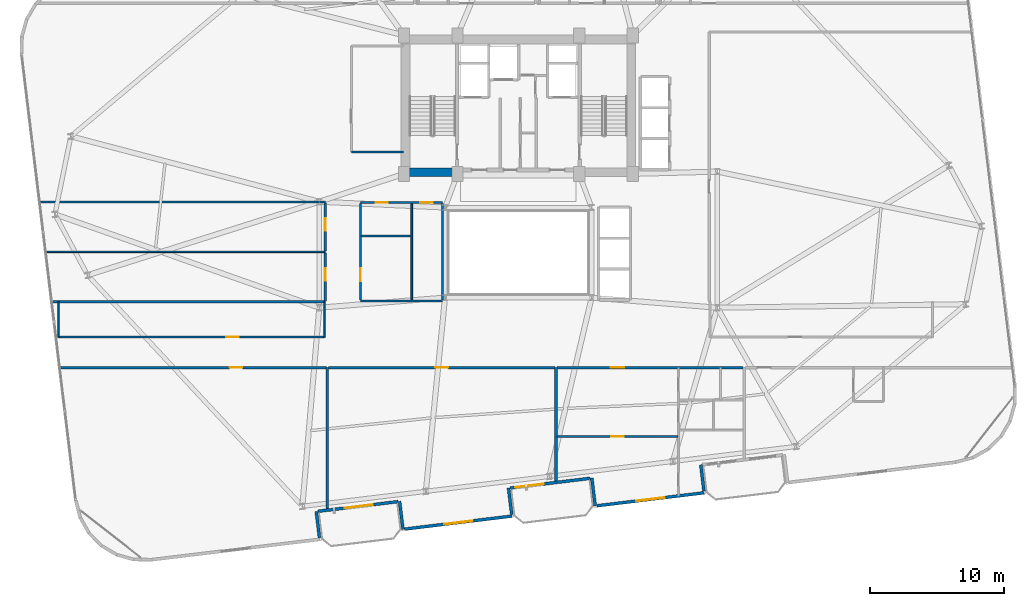
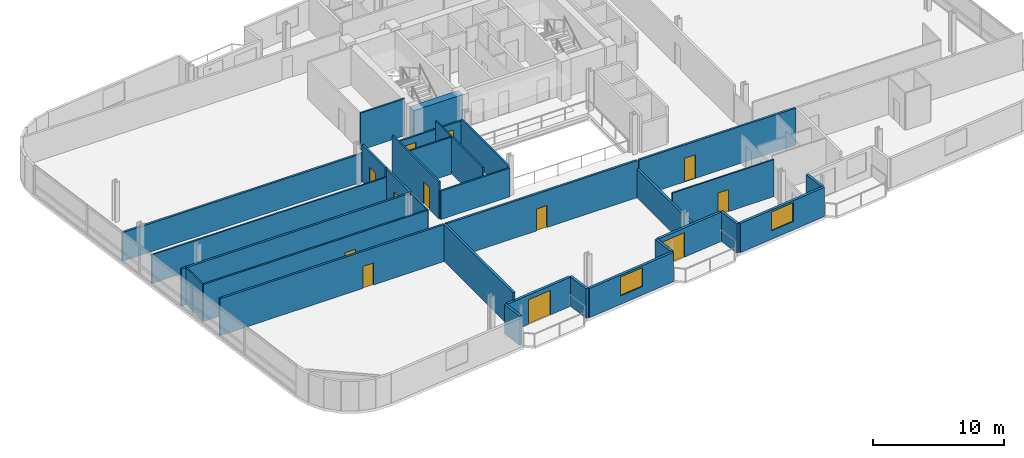
# One storey, part 15 of 23: 31 walls, 12 doors, 2 windows, 14 openings.
"""IFC4 building model written with IfcOpenShell, lengths in metres."""

from ifc_helpers import new_model, si_unit, direction, frame, frame_2d, origin, place, context, subcontext, project, spatial, rectangle, extrude, material, layer, layer_set, type_object, element, fill, save


model = new_model("IFC4")

# Units and contexts
model_context = context("Model", 3, precision=1e-05, world=origin(), true_north=direction((0.0, 1.0)))
body_context = subcontext(model_context, "Body", "Model", "MODEL_VIEW")
ifc_project = project(units=[si_unit("LENGTHUNIT", "METRE"), si_unit("AREAUNIT", "SQUARE_METRE"), si_unit("VOLUMEUNIT", "CUBIC_METRE"), si_unit("PLANEANGLEUNIT", "RADIAN"), si_unit("MASSUNIT", "GRAM", prefix="KILO")], contexts=[model_context])

# Site, building, storey
site_placement = place(None, origin())
site = spatial("IfcSite", under=ifc_project, at=site_placement, CompositionType="ELEMENT")
building_placement = place(site_placement, origin())
building = spatial("IfcBuilding", under=site, at=building_placement, Name="Varnelok Gate Tower", CompositionType="ELEMENT")
storey_placement = place(building_placement, frame((0.0, 0.0, 182.0)))
storey = spatial("IfcBuildingStorey", under=building, at=storey_placement, Name="L46", CompositionType="ELEMENT", Elevation=182.0)

# Wall, opening, door
ifc_material_1 = material(Name="Concrete C45/55", Category="concrete")
ifc_layer_1 = layer(ifc_material_1, 0.219970703125)
ifc_layer_set_1 = layer_set([ifc_layer_1], Name="Concrete C45/55")
wall_type_1 = type_object("IfcWallType", Name="EW-BALC-220", PredefinedType="SOLIDWALL", material=ifc_layer_set_1)
wall_1_placement = place(storey_placement, frame((30.25244140625, 4.381103515625, 0.0), z_axis=(0.0, 0.0, 1.0), x_axis=(-0.992735402148, -0.120318000826, 0.0)))
wall_1 = element("IfcWall", 1, at=wall_1_placement, inside=storey, type_object=wall_type_1, Name="L46 South Terrace Envelope Wall 1", PredefinedType="SOLIDWALL", context=body_context, shape_type="SweptSolid", body=[
    extrude(rectangle(XDim=6.000244140625, YDim=0.219970703125, at=frame_2d((3.0, 0.0))), origin(), (0.0, 0.0, 1.0), 2.72998046875),
])
opening_1_placement = place(wall_1_placement, frame((1.887939453125, 0.0, 0.0)))
opening_1 = element("IfcOpeningElement", 2, at=opening_1_placement, cuts=wall_1, Name="Opening BD-2", PredefinedType="OPENING", context=body_context, shape_type="SweptSolid", body=[
    extrude(rectangle(XDim=2.10009765625, YDim=2.300048828125, at=frame_2d((1.050048828125, 1.14990234375))), frame((0.0, 0.119873046875, 0.0), z_axis=(0.0, -1.0, 0.0), x_axis=(1.0, 0.0, 0.0)), (0.0, 0.0, 1.0), 0.239990234375),
])
ifc_material_2 = material(Name="Anodized Aluminum Alloy 6063-T6", Category="aluminium")
door_type_1 = type_object("IfcDoorType", Name="DR-EXT-SLID2100", OperationType="SLIDING_TO_LEFT", PredefinedType="DOOR", material=ifc_material_2)
door_1_placement = place(opening_1_placement, origin())
door_1 = element("IfcDoor", 3, at=door_1_placement, inside=storey, type_object=door_type_1, Name="L46 South Balcony Glazed Door 1", OperationType="SLIDING_TO_LEFT", OverallHeight=2.300048828125, OverallWidth=2.10009765625, PredefinedType="DOOR", context=body_context, shape_type="SweptSolid", body=[
    extrude(rectangle(XDim=2.10009765625, YDim=2.300048828125, at=frame_2d((1.050048828125, 1.14990234375))), frame((0.0, 0.02490234375, 0.0), z_axis=(0.0, -1.0, 0.0), x_axis=(1.0, 0.0, 0.0)), (0.0, 0.0, 1.0), 0.050048828125),
])
fill(opening_1, door_1)

wall_2_placement = place(storey_placement, frame((44.5478515625, 6.114013671875, 0.0), z_axis=(0.0, 0.0, 1.0), x_axis=(-0.992735402148, -0.120318000826, 0.0)))
wall_2 = element("IfcWall", 4, at=wall_2_placement, inside=storey, type_object=wall_type_1, Name="L46 South Terrace Envelope Wall 2", PredefinedType="SOLIDWALL", context=body_context, shape_type="SweptSolid", body=[
    extrude(rectangle(XDim=6.000244140625, YDim=0.219970703125, at=frame_2d((3.0, 0.0))), origin(), (0.0, 0.0, 1.0), 2.72998046875),
])
opening_2_placement = place(wall_2_placement, frame((3.5, 0.0, 0.0)))
opening_2 = element("IfcOpeningElement", 5, at=opening_2_placement, cuts=wall_2, Name="Opening BD-2", PredefinedType="OPENING", context=body_context, shape_type="SweptSolid", body=[
    extrude(rectangle(XDim=2.10009765625, YDim=2.300048828125, at=frame_2d((1.050048828125, 1.14990234375))), frame((0.0, 0.119873046875, 0.0), z_axis=(0.0, -1.0, 0.0), x_axis=(1.0, 0.0, 0.0)), (0.0, 0.0, 1.0), 0.239990234375),
])
door_2_placement = place(opening_2_placement, origin())
door_2 = element("IfcDoor", 6, at=door_2_placement, inside=storey, type_object=door_type_1, Name="L46 South Balcony Glazed Door 2", OperationType="SLIDING_TO_LEFT", OverallHeight=2.300048828125, OverallWidth=2.10009765625, PredefinedType="DOOR", context=body_context, shape_type="SweptSolid", body=[
    extrude(rectangle(XDim=2.10009765625, YDim=2.300048828125, at=frame_2d((1.050048828125, 1.14990234375))), frame((0.0, 0.02490234375, 0.0), z_axis=(0.0, -1.0, 0.0), x_axis=(1.0, 0.0, 0.0)), (0.0, 0.0, 1.0), 0.050048828125),
])
fill(opening_2, door_2)

# Walls
wall_3_placement = place(storey_placement, frame((24.413330078125, 1.694091796875, 0.0), z_axis=(0.0, 0.0, 1.0), x_axis=(-0.120290754542, 0.992738703976, 0.0)))
element("IfcWall", 7, at=wall_3_placement, inside=storey, type_object=wall_type_1, Name="L46 Perimeter Facade Closure Wall 8", PredefinedType="SOLIDWALL", context=body_context, shape_type="SweptSolid", body=[
    extrude(rectangle(XDim=1.974853515625, YDim=0.219970703125, at=frame_2d((0.9873046875, 0.0))), origin(), (0.0, 0.0, 1.0), 2.72998046875),
])
wall_4_placement = place(storey_placement, frame((30.370361328125, 4.405517578125, 0.0), z_axis=(0.0, 0.0, 1.0), x_axis=(0.120327895535, -0.992734202874, 0.0)))
element("IfcWall", 8, at=wall_4_placement, inside=storey, type_object=wall_type_1, Name="L46 Perimeter Facade Closure Wall 9", PredefinedType="SOLIDWALL", context=body_context, shape_type="SweptSolid", body=[
    extrude(rectangle(XDim=2.099853515625, YDim=0.219970703125, at=frame_2d((1.0498046875, 0.0))), origin(), (0.0, 0.0, 1.0), 2.72998046875),
])

# Wall, opening, window
wall_5_placement = place(storey_placement, frame((30.747314453125, 2.335693359375, 0.0), z_axis=(0.0, 0.0, 1.0), x_axis=(0.992731032022, 0.120354052946, 0.0)))
wall_5 = element("IfcWall", 9, at=wall_5_placement, inside=storey, type_object=wall_type_1, Name="L46 Perimeter Facade Closure Wall 10", PredefinedType="SOLIDWALL", context=body_context, shape_type="SweptSolid", body=[
    extrude(rectangle(XDim=8.034912109375, YDim=0.219970703125, at=frame_2d((4.017578125, 0.0))), origin(), (0.0, 0.0, 1.0), 2.72998046875),
])
opening_3_placement = place(wall_5_placement, frame((2.967529296875, 0.0, 0.800048828125)))
opening_3 = element("IfcOpeningElement", 10, at=opening_3_placement, cuts=wall_5, Name="Opening WN4", PredefinedType="OPENING", context=body_context, shape_type="SweptSolid", body=[
    extrude(rectangle(XDim=2.10009765625, YDim=1.75, at=frame_2d((1.050048828125, 0.875))), frame((0.0, 0.119873046875, 0.0), z_axis=(0.0, -1.0, 0.0), x_axis=(1.0, 0.0, 0.0)), (0.0, 0.0, 1.0), 0.239990234375),
])
ifc_material_3 = material(Name="Low-E Laminated Double Glazing IGU", Category="glass")
window_type = type_object("IfcWindowType", Name="WN-SUI-2100", PartitioningType="SINGLE_PANEL", PredefinedType="WINDOW", material=ifc_material_3)
window_1_placement = place(opening_3_placement, origin())
window_1 = element("IfcWindow", 11, at=window_1_placement, inside=storey, type_object=window_type, Name="L46 Perimeter Vision Window 10", OverallHeight=1.75, OverallWidth=2.10009765625, PartitioningType="SINGLE_PANEL", PredefinedType="WINDOW", context=body_context, shape_type="SweptSolid", body=[
    extrude(rectangle(XDim=2.10009765625, YDim=1.75, at=frame_2d((1.050048828125, 0.875))), frame((0.0, 0.030029296875, 0.0), z_axis=(0.0, -1.0, 0.0), x_axis=(1.0, 0.0, 0.0)), (0.0, 0.0, 1.0), 0.06005859375),
])
fill(opening_3, window_1)

# Walls
wall_6_placement = place(storey_placement, frame((38.708740234375, 3.427001953125, 0.0), z_axis=(0.0, 0.0, 1.0), x_axis=(-0.120397815541, 0.992725725472, 0.0)))
element("IfcWall", 12, at=wall_6_placement, inside=storey, type_object=wall_type_1, Name="L46 Perimeter Facade Closure Wall 11", PredefinedType="SOLIDWALL", context=body_context, shape_type="SweptSolid", body=[
    extrude(rectangle(XDim=1.97509765625, YDim=0.219970703125, at=frame_2d((0.987548828125, 0.0))), origin(), (0.0, 0.0, 1.0), 2.72998046875),
])
wall_7_placement = place(storey_placement, frame((44.665771484375, 6.138427734375, 0.0), z_axis=(0.0, 0.0, 1.0), x_axis=(0.120327895535, -0.992734202874, 0.0)))
element("IfcWall", 13, at=wall_7_placement, inside=storey, type_object=wall_type_1, Name="L46 Perimeter Facade Closure Wall 12", PredefinedType="SOLIDWALL", context=body_context, shape_type="SweptSolid", body=[
    extrude(rectangle(XDim=2.099853515625, YDim=0.219970703125, at=frame_2d((1.0498046875, 0.0))), origin(), (0.0, 0.0, 1.0), 2.72998046875),
])

# Wall, opening, window
wall_8_placement = place(storey_placement, frame((45.04248046875, 4.06884765625, 0.0), z_axis=(0.0, 0.0, 1.0), x_axis=(0.992731032022, 0.120354052946, 0.0)))
wall_8 = element("IfcWall", 14, at=wall_8_placement, inside=storey, type_object=wall_type_1, Name="L46 Perimeter Facade Closure Wall 13", PredefinedType="SOLIDWALL", context=body_context, shape_type="SweptSolid", body=[
    extrude(rectangle(XDim=8.034912109375, YDim=0.219970703125, at=frame_2d((4.017578125, 0.0))), origin(), (0.0, 0.0, 1.0), 2.72998046875),
])
opening_4_placement = place(wall_8_placement, frame((2.967529296875, 0.0, 0.800048828125)))
opening_4 = element("IfcOpeningElement", 15, at=opening_4_placement, cuts=wall_8, Name="Opening WN4", PredefinedType="OPENING", context=body_context, shape_type="SweptSolid", body=[
    extrude(rectangle(XDim=2.10009765625, YDim=1.75, at=frame_2d((1.050048828125, 0.875))), frame((0.0, 0.119873046875, 0.0), z_axis=(0.0, -1.0, 0.0), x_axis=(1.0, 0.0, 0.0)), (0.0, 0.0, 1.0), 0.239990234375),
])
window_2_placement = place(opening_4_placement, origin())
window_2 = element("IfcWindow", 16, at=window_2_placement, inside=storey, type_object=window_type, Name="L46 Perimeter Vision Window 13", OverallHeight=1.75, OverallWidth=2.10009765625, PartitioningType="SINGLE_PANEL", PredefinedType="WINDOW", context=body_context, shape_type="SweptSolid", body=[
    extrude(rectangle(XDim=2.10009765625, YDim=1.75, at=frame_2d((1.050048828125, 0.875))), frame((0.0, 0.030029296875, 0.0), z_axis=(0.0, -1.0, 0.0), x_axis=(1.0, 0.0, 0.0)), (0.0, 0.0, 1.0), 0.06005859375),
])
fill(opening_4, window_2)

# Wall
wall_9_placement = place(storey_placement, frame((53.004150390625, 5.159912109375, 0.0), z_axis=(0.0, 0.0, 1.0), x_axis=(-0.120397815541, 0.992725725472, 0.0)))
element("IfcWall", 17, at=wall_9_placement, inside=storey, type_object=wall_type_1, Name="L46 Perimeter Facade Closure Wall 14", PredefinedType="SOLIDWALL", context=body_context, shape_type="SweptSolid", body=[
    extrude(rectangle(XDim=1.97509765625, YDim=0.219970703125, at=frame_2d((0.987548828125, 0.0))), origin(), (0.0, 0.0, 1.0), 2.72998046875),
])

# Wall, opening, door
ifc_material_4 = material(Name="Gypsum Plasterboard Acoustic Partition", Category="gypsum")
ifc_layer_2 = layer(ifc_material_4, 0.179931640625)
ifc_layer_set_2 = layer_set([ifc_layer_2], Name="Gypsum Plasterboard Acoustic Partition")
wall_type_2 = type_object("IfcWallType", Name="PW-CORR-180", PredefinedType="PARTITIONING", material=ifc_layer_set_2)
wall_10_placement = place(storey_placement, frame((5.14990234375, 14.35009765625, 0.0), z_axis=(0.0, 0.0, 1.0), x_axis=(1.0, 0.0, 0.0)))
wall_10 = element("IfcWall", 18, at=wall_10_placement, inside=storey, type_object=wall_type_2, Name="Interior Partition", PredefinedType="PARTITIONING", context=body_context, shape_type="SweptSolid", body=[
    extrude(rectangle(XDim=19.77001953125, YDim=0.179931640625, at=frame_2d((9.885009765625, 0.0))), origin(), (0.0, 0.0, 1.0), 3.449951171875),
])
opening_5_placement = place(wall_10_placement, frame((12.574951171875, 0.0, 0.0)))
opening_5 = element("IfcOpeningElement", 19, at=opening_5_placement, cuts=wall_10, Name="Opening D-I2", PredefinedType="OPENING", context=body_context, shape_type="SweptSolid", body=[
    extrude(rectangle(XDim=0.949951171875, YDim=2.050048828125, at=frame_2d((0.47509765625, 1.02490234375))), frame((0.0, 0.099853515625, 0.0), z_axis=(0.0, -1.0, 0.0), x_axis=(1.0, 0.0, 0.0)), (0.0, 0.0, 1.0), 0.199951171875),
])
ifc_material_5 = material(Name="Engineered Hardwood Timber", Category="wood")
door_type_2 = type_object("IfcDoorType", Name="DR-INT-950", OperationType="NOTDEFINED", PredefinedType="DOOR", material=ifc_material_5)
door_3_placement = place(opening_5_placement, origin())
door_3 = element("IfcDoor", 20, at=door_3_placement, inside=storey, type_object=door_type_2, Name="L46 Private Owners Horizon Club Door", OperationType="SINGLE_SWING_LEFT", OverallHeight=2.050048828125, OverallWidth=0.949951171875, PredefinedType="DOOR", context=body_context, shape_type="SweptSolid", body=[
    extrude(rectangle(XDim=0.949951171875, YDim=2.050048828125, at=frame_2d((0.47509765625, 1.02490234375))), frame((0.0, 0.02490234375, 0.0), z_axis=(0.0, -1.0, 0.0), x_axis=(1.0, 0.0, 0.0)), (0.0, 0.0, 1.0), 0.050048828125),
])
fill(opening_5, door_3)

wall_11_placement = place(storey_placement, frame((25.080078125, 14.35009765625, 0.0), z_axis=(0.0, 0.0, 1.0), x_axis=(1.0, 0.0, 0.0)))
wall_11 = element("IfcWall", 21, at=wall_11_placement, inside=storey, type_object=wall_type_2, Name="Interior Partition", PredefinedType="PARTITIONING", context=body_context, shape_type="SweptSolid", body=[
    extrude(rectangle(XDim=16.83984375, YDim=0.179931640625, at=frame_2d((8.419921875, 0.0))), origin(), (0.0, 0.0, 1.0), 3.449951171875),
])
opening_6_placement = place(wall_11_placement, frame((7.945068359375, 0.0, 0.0)))
opening_6 = element("IfcOpeningElement", 22, at=opening_6_placement, cuts=wall_11, Name="Opening D-I2", PredefinedType="OPENING", context=body_context, shape_type="SweptSolid", body=[
    extrude(rectangle(XDim=0.949951171875, YDim=2.050048828125, at=frame_2d((0.47509765625, 1.02490234375))), frame((0.0, 0.099853515625, 0.0), z_axis=(0.0, -1.0, 0.0), x_axis=(1.0, 0.0, 0.0)), (0.0, 0.0, 1.0), 0.199951171875),
])
door_4_placement = place(opening_6_placement, origin())
door_4 = element("IfcDoor", 23, at=door_4_placement, inside=storey, type_object=door_type_2, Name="L46 Sky Library Door", OperationType="SINGLE_SWING_LEFT", OverallHeight=2.050048828125, OverallWidth=0.949951171875, PredefinedType="DOOR", context=body_context, shape_type="SweptSolid", body=[
    extrude(rectangle(XDim=0.949951171875, YDim=2.050048828125, at=frame_2d((0.47509765625, 1.02490234375))), frame((0.0, 0.02490234375, 0.0), z_axis=(0.0, -1.0, 0.0), x_axis=(1.0, 0.0, 0.0)), (0.0, 0.0, 1.0), 0.050048828125),
])
fill(opening_6, door_4)

wall_12_placement = place(storey_placement, frame((42.080078125, 14.35009765625, 0.0), z_axis=(0.0, 0.0, 1.0), x_axis=(1.0, 0.0, 0.0)))
wall_12 = element("IfcWall", 24, at=wall_12_placement, inside=storey, type_object=wall_type_2, Name="Interior Partition", PredefinedType="PARTITIONING", context=body_context, shape_type="SweptSolid", body=[
    extrude(rectangle(XDim=13.83984375, YDim=0.179931640625, at=frame_2d((6.919921875, 0.0))), origin(), (0.0, 0.0, 1.0), 3.449951171875),
])
opening_7_placement = place(wall_12_placement, frame((3.985107421875, 0.0, 0.0)))
opening_7 = element("IfcOpeningElement", 25, at=opening_7_placement, cuts=wall_12, Name="Opening D-AP", PredefinedType="OPENING", context=body_context, shape_type="SweptSolid", body=[
    extrude(rectangle(XDim=1.0, YDim=2.199951171875, at=frame_2d((0.5, 1.10009765625))), frame((0.0, 0.099853515625, 0.0), z_axis=(0.0, -1.0, 0.0), x_axis=(1.0, 0.0, 0.0)), (0.0, 0.0, 1.0), 0.199951171875),
])
door_type_3 = type_object("IfcDoorType", Name="DR-APT-1000", OperationType="NOTDEFINED", PredefinedType="DOOR", material=ifc_material_5)
door_5_placement = place(opening_7_placement, origin())
door_5 = element("IfcDoor", 26, at=door_5_placement, inside=storey, type_object=door_type_3, Name="L46 Apartment 3 Entrance Door", OperationType="SINGLE_SWING_RIGHT", OverallHeight=2.199951171875, OverallWidth=1.0, PredefinedType="DOOR", context=body_context, shape_type="SweptSolid", body=[
    extrude(rectangle(XDim=1.0, YDim=2.199951171875, at=frame_2d((0.5, 1.10009765625))), frame((0.0, 0.02490234375, 0.0), z_axis=(0.0, -1.0, 0.0), x_axis=(1.0, 0.0, 0.0)), (0.0, 0.0, 1.0), 0.050048828125),
])
fill(opening_7, door_5)

wall_13_placement = place(storey_placement, frame((24.85009765625, 19.300048828125, 0.0), z_axis=(0.0, 0.0, 1.0), x_axis=(0.0, 1.0, 0.0)))
wall_13 = element("IfcWall", 27, at=wall_13_placement, inside=storey, type_object=wall_type_2, Name="Interior Partition", PredefinedType="PARTITIONING", context=body_context, shape_type="SweptSolid", body=[
    extrude(rectangle(XDim=3.570068359375, YDim=0.179931640625, at=frame_2d((1.78515625, 0.0))), origin(), (0.0, 0.0, 1.0), 3.449951171875),
])
opening_8_placement = place(wall_13_placement, frame((1.49951171875, 0.0, 0.0)))
opening_8 = element("IfcOpeningElement", 28, at=opening_8_placement, cuts=wall_13, Name="Opening D-I3", PredefinedType="OPENING", context=body_context, shape_type="SweptSolid", body=[
    extrude(rectangle(XDim=0.919921875, YDim=2.050048828125, at=frame_2d((0.4599609375, 1.02490234375))), frame((0.0, 0.099853515625, 0.0), z_axis=(0.0, -1.0, 0.0), x_axis=(1.0, 0.0, 0.0)), (0.0, 0.0, 1.0), 0.199951171875),
])
door_type_4 = type_object("IfcDoorType", Name="DR-INT-920", OperationType="NOTDEFINED", PredefinedType="DOOR", material=ifc_material_5)
door_6_placement = place(opening_8_placement, origin())
door_6 = element("IfcDoor", 29, at=door_6_placement, inside=storey, type_object=door_type_4, Name="L46 West Wing Room 1 Door", OperationType="SINGLE_SWING_LEFT", OverallHeight=2.050048828125, OverallWidth=0.919921875, PredefinedType="DOOR", context=body_context, shape_type="SweptSolid", body=[
    extrude(rectangle(XDim=0.919921875, YDim=2.050048828125, at=frame_2d((0.4599609375, 1.02490234375))), frame((0.0, 0.02490234375, 0.0), z_axis=(0.0, -1.0, 0.0), x_axis=(1.0, 0.0, 0.0)), (0.0, 0.0, 1.0), 0.050048828125),
])
fill(opening_8, door_6)

wall_14_placement = place(storey_placement, frame((24.85009765625, 23.030029296875, 0.0), z_axis=(0.0, 0.0, 1.0), x_axis=(0.0, 1.0, 0.0)))
wall_14 = element("IfcWall", 30, at=wall_14_placement, inside=storey, type_object=wall_type_2, Name="Interior Partition", PredefinedType="PARTITIONING", context=body_context, shape_type="SweptSolid", body=[
    extrude(rectangle(XDim=3.570068359375, YDim=0.179931640625, at=frame_2d((1.78515625, 0.0))), origin(), (0.0, 0.0, 1.0), 3.449951171875),
])
opening_9_placement = place(wall_14_placement, frame((1.49951171875, 0.0, 0.0)))
opening_9 = element("IfcOpeningElement", 31, at=opening_9_placement, cuts=wall_14, Name="Opening D-I3", PredefinedType="OPENING", context=body_context, shape_type="SweptSolid", body=[
    extrude(rectangle(XDim=0.919921875, YDim=2.050048828125, at=frame_2d((0.4599609375, 1.02490234375))), frame((0.0, 0.099853515625, 0.0), z_axis=(0.0, -1.0, 0.0), x_axis=(1.0, 0.0, 0.0)), (0.0, 0.0, 1.0), 0.199951171875),
])
door_7_placement = place(opening_9_placement, origin())
door_7 = element("IfcDoor", 32, at=door_7_placement, inside=storey, type_object=door_type_4, Name="L46 West Wing Room 2 Door", OperationType="SINGLE_SWING_RIGHT", OverallHeight=2.050048828125, OverallWidth=0.919921875, PredefinedType="DOOR", context=body_context, shape_type="SweptSolid", body=[
    extrude(rectangle(XDim=0.919921875, YDim=2.050048828125, at=frame_2d((0.4599609375, 1.02490234375))), frame((0.0, 0.02490234375, 0.0), z_axis=(0.0, -1.0, 0.0), x_axis=(1.0, 0.0, 0.0)), (0.0, 0.0, 1.0), 0.050048828125),
])
fill(opening_9, door_7)

# Walls
wall_15_placement = place(storey_placement, frame((4.55712890625, 19.239990234375, 0.0), z_axis=(0.0, 0.0, 1.0), x_axis=(1.0, 0.0, 0.0)))
element("IfcWall", 33, at=wall_15_placement, inside=storey, type_object=wall_type_2, Name="Interior Partition", PredefinedType="PARTITIONING", context=body_context, shape_type="SweptSolid", body=[
    extrude(rectangle(XDim=20.29296875, YDim=0.179931640625, at=frame_2d((10.146484375, 0.0))), origin(), (0.0, 0.0, 1.0), 3.449951171875),
])
wall_16_placement = place(storey_placement, frame((3.65771484375, 26.659912109375, 0.0), z_axis=(0.0, 0.0, 1.0), x_axis=(1.0, 0.0, 0.0)))
element("IfcWall", 34, at=wall_16_placement, inside=storey, type_object=wall_type_2, Name="Interior Partition", PredefinedType="PARTITIONING", context=body_context, shape_type="SweptSolid", body=[
    extrude(rectangle(XDim=21.1923828125, YDim=0.179931640625, at=frame_2d((10.59619140625, 0.0))), origin(), (0.0, 0.0, 1.0), 2.662109375),
])
ifc_layer_3 = layer(ifc_material_4, 0.125)
ifc_layer_set_3 = layer_set([ifc_layer_3], Name="Gypsum Plasterboard Acoustic Partition")
wall_type_3 = type_object("IfcWallType", Name="PW-PART-125", PredefinedType="PARTITIONING", material=ifc_layer_set_3)
for number, where, z_axis, x_axis, name in (
    (35, (5.0, 16.610107421875, 0.0), (0.0, 0.0, 1.0), (0.0, 1.0, 0.0), "Interior Partition"),
    (36, (24.800048828125, 16.610107421875, 0.0), (0.0, 0.0, 1.0), (0.0, 1.0, 0.0), "Interior Partition"),
):
    element("IfcWall", number, at=place(storey_placement, frame(where, z_axis=z_axis, x_axis=x_axis)), inside=storey, type_object=wall_type_3, Name=name, PredefinedType="PARTITIONING", context=body_context, shape_type="SweptSolid", body=[
        extrude(rectangle(XDim=2.6298828125, YDim=0.125, at=frame_2d((1.31494140625, 0.0))), origin(), (0.0, 0.0, 1.0), 3.449951171875),
    ])

# Wall, opening, door
wall_17_placement = place(storey_placement, frame((42.080078125, 9.22412109375, 0.0), z_axis=(0.0, 0.0, 1.0), x_axis=(1.0, 0.0, 0.0)))
wall_17 = element("IfcWall", 37, at=wall_17_placement, inside=storey, type_object=wall_type_3, Name="Interior Partition", PredefinedType="PARTITIONING", context=body_context, shape_type="SweptSolid", body=[
    extrude(rectangle(XDim=8.969970703125, YDim=0.125, at=frame_2d((4.48486328125, 0.0))), origin(), (0.0, 0.0, 1.0), 3.449951171875),
])
opening_10_placement = place(wall_17_placement, frame((4.03662109375, 0.0, 0.0)))
opening_10 = element("IfcOpeningElement", 38, at=opening_10_placement, cuts=wall_17, Name="Opening D-I3", PredefinedType="OPENING", context=body_context, shape_type="SweptSolid", body=[
    extrude(rectangle(XDim=0.919921875, YDim=2.050048828125, at=frame_2d((0.4599609375, 1.02490234375))), frame((0.0, 0.072509765625, 0.0), z_axis=(0.0, -1.0, 0.0), x_axis=(1.0, 0.0, 0.0)), (0.0, 0.0, 1.0), 0.14501953125),
])
door_8_placement = place(opening_10_placement, origin())
door_8 = element("IfcDoor", 39, at=door_8_placement, inside=storey, type_object=door_type_4, Name="L46 Apartment 3 Study Door", OperationType="SINGLE_SWING_LEFT", OverallHeight=2.050048828125, OverallWidth=0.919921875, PredefinedType="DOOR", context=body_context, shape_type="SweptSolid", body=[
    extrude(rectangle(XDim=0.919921875, YDim=2.050048828125, at=frame_2d((0.4599609375, 1.02490234375))), frame((0.0, 0.02490234375, 0.0), z_axis=(0.0, -1.0, 0.0), x_axis=(1.0, 0.0, 0.0)), (0.0, 0.0, 1.0), 0.050048828125),
])
fill(opening_10, door_8)

# Walls
wall_18_placement = place(storey_placement, frame((4.107421875, 22.949951171875, 0.0), z_axis=(0.0, 0.0, 1.0), x_axis=(1.0, 0.0, 0.0)))
element("IfcWall", 40, at=wall_18_placement, inside=storey, type_object=wall_type_3, Name="Interior Partition", PredefinedType="PARTITIONING", context=body_context, shape_type="SweptSolid", body=[
    extrude(rectangle(XDim=20.74267578125, YDim=0.125, at=frame_2d((10.371337890625, 0.0))), origin(), (0.0, 0.0, 1.0), 2.662109375),
])
wall_19_placement = place(storey_placement, frame((31.280029296875, 19.3798828125, 0.0), z_axis=(0.0, 0.0, 1.0), x_axis=(0.0, 1.0, 0.0)))
element("IfcWall", 41, at=wall_19_placement, inside=storey, type_object=wall_type_3, Name="Interior Partition", PredefinedType="PARTITIONING", context=body_context, shape_type="SweptSolid", body=[
    extrude(rectangle(XDim=7.16015625, YDim=0.125, at=frame_2d((3.580078125, 0.0))), origin(), (0.0, 0.0, 1.0), 3.449951171875),
])
wall_20_placement = place(storey_placement, frame((27.52001953125, 24.1298828125, 0.0), z_axis=(0.0, 0.0, 1.0), x_axis=(1.0, 0.0, 0.0)))
element("IfcWall", 42, at=wall_20_placement, inside=storey, type_object=wall_type_3, Name="Interior Partition", PredefinedType="PARTITIONING", context=body_context, shape_type="SweptSolid", body=[
    extrude(rectangle(XDim=3.699951171875, YDim=0.125, at=frame_2d((1.85009765625, 0.0))), origin(), (0.0, 0.0, 1.0), 3.449951171875),
])

# Wall, opening, door
ifc_layer_4 = layer(ifc_material_4, 0.14990234375)
ifc_layer_set_4 = layer_set([ifc_layer_4], Name="Gypsum Plasterboard Acoustic Partition")
wall_type_4 = type_object("IfcWallType", Name="PW-PART-150", PredefinedType="PARTITIONING", material=ifc_layer_set_4)
wall_21_placement = place(storey_placement, frame((5.0, 16.610107421875, 0.0), z_axis=(0.0, 0.0, 1.0), x_axis=(1.0, 0.0, 0.0)))
wall_21 = element("IfcWall", 43, at=wall_21_placement, inside=storey, type_object=wall_type_4, Name="Interior Partition", PredefinedType="PARTITIONING", context=body_context, shape_type="SweptSolid", body=[
    extrude(rectangle(XDim=19.800048828125, YDim=0.14990234375, at=frame_2d((9.89990234375, 0.0))), origin(), (0.0, 0.0, 1.0), 3.449951171875),
])
opening_11_placement = place(wall_21_placement, frame((12.485107421875, 0.0, 0.0)))
opening_11 = element("IfcOpeningElement", 44, at=opening_11_placement, cuts=wall_21, Name="Opening D-I3", PredefinedType="OPENING", context=body_context, shape_type="SweptSolid", body=[
    extrude(rectangle(XDim=0.919921875, YDim=2.050048828125, at=frame_2d((0.4599609375, 1.02490234375))), frame((0.0, 0.0849609375, 0.0), z_axis=(0.0, -1.0, 0.0), x_axis=(1.0, 0.0, 0.0)), (0.0, 0.0, 1.0), 0.169921875),
])
door_9_placement = place(opening_11_placement, origin())
door_9 = element("IfcDoor", 45, at=door_9_placement, inside=storey, type_object=door_type_4, Name="L46 Atrium Room 1 Door", OperationType="SINGLE_SWING_LEFT", OverallHeight=2.050048828125, OverallWidth=0.919921875, PredefinedType="DOOR", context=body_context, shape_type="SweptSolid", body=[
    extrude(rectangle(XDim=0.919921875, YDim=2.050048828125, at=frame_2d((0.4599609375, 1.02490234375))), frame((0.0, 0.02490234375, 0.0), z_axis=(0.0, -1.0, 0.0), x_axis=(1.0, 0.0, 0.0)), (0.0, 0.0, 1.0), 0.050048828125),
])
fill(opening_11, door_9)

# Wall
wall_22_placement = place(storey_placement, frame((27.4599609375, 19.300048828125, 0.0), z_axis=(0.0, 0.0, 1.0), x_axis=(1.0, 0.0, 0.0)))
element("IfcWall", 46, at=wall_22_placement, inside=storey, type_object=wall_type_4, Name="Interior Partition", PredefinedType="PARTITIONING", context=body_context, shape_type="SweptSolid", body=[
    extrude(rectangle(XDim=6.10009765625, YDim=0.14990234375, at=frame_2d((3.050048828125, 0.0))), origin(), (0.0, 0.0, 1.0), 2.662109375),
])

# Wall, openings, doors
wall_23_placement = place(storey_placement, frame((27.4599609375, 26.6201171875, 0.0), z_axis=(0.0, 0.0, 1.0), x_axis=(1.0, 0.0, 0.0)))
wall_23 = element("IfcWall", 47, at=wall_23_placement, inside=storey, type_object=wall_type_4, Name="Interior Partition", PredefinedType="PARTITIONING", context=body_context, shape_type="SweptSolid", body=[
    extrude(rectangle(XDim=6.10009765625, YDim=0.14990234375, at=frame_2d((3.050048828125, 0.0))), origin(), (0.0, 0.0, 1.0), 2.662109375),
])
opening_12_placement = place(wall_23_placement, frame((1.14990234375, 0.0, 0.0)))
opening_12 = element("IfcOpeningElement", 48, at=opening_12_placement, cuts=wall_23, Name="Opening D-WC", PredefinedType="OPENING", context=body_context, shape_type="SweptSolid", body=[
    extrude(rectangle(XDim=0.89990234375, YDim=2.050048828125, at=frame_2d((0.449951171875, 1.02490234375))), frame((0.0, 0.0849609375, 0.0), z_axis=(0.0, -1.0, 0.0), x_axis=(1.0, 0.0, 0.0)), (0.0, 0.0, 1.0), 0.169921875),
])
opening_13_placement = place(wall_23_placement, frame((4.449951171875, 0.0, 0.0)))
opening_13 = element("IfcOpeningElement", 49, at=opening_13_placement, cuts=wall_23, Name="Opening D-I3", PredefinedType="OPENING", context=body_context, shape_type="SweptSolid", body=[
    extrude(rectangle(XDim=0.919921875, YDim=2.050048828125, at=frame_2d((0.4599609375, 1.02490234375))), frame((0.0, 0.0849609375, 0.0), z_axis=(0.0, -1.0, 0.0), x_axis=(1.0, 0.0, 0.0)), (0.0, 0.0, 1.0), 0.169921875),
])
door_type_5 = type_object("IfcDoorType", Name="DR-BATH-900", OperationType="NOTDEFINED", PredefinedType="DOOR", material=ifc_material_5)
door_10_placement = place(opening_12_placement, origin())
door_10 = element("IfcDoor", 50, at=door_10_placement, inside=storey, type_object=door_type_5, Name="L46 Accessible Floor WC Door", OperationType="SINGLE_SWING_LEFT", OverallHeight=2.050048828125, OverallWidth=0.89990234375, PredefinedType="DOOR", context=body_context, shape_type="SweptSolid", body=[
    extrude(rectangle(XDim=0.89990234375, YDim=2.050048828125, at=frame_2d((0.449951171875, 1.02490234375))), frame((0.0, 0.02490234375, 0.0), z_axis=(0.0, -1.0, 0.0), x_axis=(1.0, 0.0, 0.0)), (0.0, 0.0, 1.0), 0.050048828125),
])
fill(opening_12, door_10)
door_11_placement = place(opening_13_placement, origin())
door_11 = element("IfcDoor", 51, at=door_11_placement, inside=storey, type_object=door_type_4, Name="L46 Valet Pantry Door", OperationType="SINGLE_SWING_RIGHT", OverallHeight=2.050048828125, OverallWidth=0.919921875, PredefinedType="DOOR", context=body_context, shape_type="SweptSolid", body=[
    extrude(rectangle(XDim=0.919921875, YDim=2.050048828125, at=frame_2d((0.4599609375, 1.02490234375))), frame((0.0, 0.02490234375, 0.0), z_axis=(0.0, -1.0, 0.0), x_axis=(1.0, 0.0, 0.0)), (0.0, 0.0, 1.0), 0.050048828125),
])
fill(opening_13, door_11)

# Wall, opening, door
wall_24_placement = place(storey_placement, frame((27.4599609375, 19.3798828125, 0.0), z_axis=(0.0, 0.0, 1.0), x_axis=(0.0, 1.0, 0.0)))
wall_24 = element("IfcWall", 52, at=wall_24_placement, inside=storey, type_object=wall_type_4, Name="Interior Partition", PredefinedType="PARTITIONING", context=body_context, shape_type="SweptSolid", body=[
    extrude(rectangle(XDim=7.16015625, YDim=0.14990234375, at=frame_2d((3.580078125, 0.0))), origin(), (0.0, 0.0, 1.0), 3.449951171875),
])
opening_14_placement = place(wall_24_placement, frame((1.39990234375, 0.0, 0.0)))
opening_14 = element("IfcOpeningElement", 53, at=opening_14_placement, cuts=wall_24, Name="Opening D-I2", PredefinedType="OPENING", context=body_context, shape_type="SweptSolid", body=[
    extrude(rectangle(XDim=0.949951171875, YDim=2.050048828125, at=frame_2d((0.47509765625, 1.02490234375))), frame((0.0, 0.0849609375, 0.0), z_axis=(0.0, -1.0, 0.0), x_axis=(1.0, 0.0, 0.0)), (0.0, 0.0, 1.0), 0.169921875),
])
door_12_placement = place(opening_14_placement, origin())
door_12 = element("IfcDoor", 54, at=door_12_placement, inside=storey, type_object=door_type_2, Name="L46 Sky Library Door", OperationType="SINGLE_SWING_LEFT", OverallHeight=2.050048828125, OverallWidth=0.949951171875, PredefinedType="DOOR", context=body_context, shape_type="SweptSolid", body=[
    extrude(rectangle(XDim=0.949951171875, YDim=2.050048828125, at=frame_2d((0.47509765625, 1.02490234375))), frame((0.0, 0.02490234375, 0.0), z_axis=(0.0, -1.0, 0.0), x_axis=(1.0, 0.0, 0.0)), (0.0, 0.0, 1.0), 0.050048828125),
])
fill(opening_14, door_12)

# Walls
wall_25_placement = place(storey_placement, frame((33.56005859375, 19.3798828125, 0.0), z_axis=(0.0, 0.0, 1.0), x_axis=(0.0, 1.0, 0.0)))
element("IfcWall", 55, at=wall_25_placement, inside=storey, type_object=wall_type_4, Name="Interior Partition", PredefinedType="PARTITIONING", context=body_context, shape_type="SweptSolid", body=[
    extrude(rectangle(XDim=7.16015625, YDim=0.14990234375, at=frame_2d((3.580078125, 0.0))), origin(), (0.0, 0.0, 1.0), 2.823974609375),
])
wall_26_placement = place(storey_placement, frame((26.780029296875, 30.360107421875, 0.0), z_axis=(0.0, 0.0, 1.0), x_axis=(1.0, 0.0, 0.0)))
element("IfcWall", 56, at=wall_26_placement, inside=storey, type_object=wall_type_4, Name="Interior Partition", PredefinedType="PARTITIONING", context=body_context, shape_type="SweptSolid", body=[
    extrude(rectangle(XDim=3.89990234375, YDim=0.14990234375, at=frame_2d((1.949951171875, 0.0))), origin(), (0.0, 0.0, 1.0), 3.449951171875),
])
ifc_layer_5 = layer(ifc_material_4, 0.205078125)
ifc_layer_set_5 = layer_set([ifc_layer_5], Name="Gypsum Plasterboard Acoustic Partition")
wall_type_5 = type_object("IfcWallType", Name="PW-PARTY-200", PredefinedType="PARTITIONING", material=ifc_layer_set_5)
wall_27_placement = place(storey_placement, frame((25.0, 3.774658203125, 0.0), z_axis=(0.0, 0.0, 1.0), x_axis=(0.0, 1.0, 0.0)))
element("IfcWall", 57, at=wall_27_placement, inside=storey, type_object=wall_type_5, Name="L46 South Party Wall 1", PredefinedType="PARTITIONING", context=body_context, shape_type="SweptSolid", body=[
    extrude(rectangle(XDim=10.575439453125, YDim=0.205078125, at=frame_2d((5.28759765625, 0.0))), origin(), (0.0, 0.0, 1.0), 3.449951171875),
])
wall_28_placement = place(storey_placement, frame((42.0, 5.83544921875, 0.0), z_axis=(0.0, 0.0, 1.0), x_axis=(0.0, 1.0, 0.0)))
element("IfcWall", 58, at=wall_28_placement, inside=storey, type_object=wall_type_5, Name="L46 South Party Wall 2", PredefinedType="PARTITIONING", context=body_context, shape_type="SweptSolid", body=[
    extrude(rectangle(XDim=8.5146484375, YDim=0.205078125, at=frame_2d((4.25732421875, 0.0))), origin(), (0.0, 0.0, 1.0), 2.662109375),
])
ifc_material_6 = material(Name="Concrete C60/75", Category="concrete")
ifc_layer_6 = layer(ifc_material_6, 0.64990234375)
ifc_layer_set_6 = layer_set([ifc_layer_6], Name="Concrete C60/75")
wall_type_6 = type_object("IfcWallType", Name="SW-CORE-650", PredefinedType="SHEAR", material=ifc_layer_set_6)
wall_29_placement = place(storey_placement, frame((30.47998046875, 28.875, 0.0), z_axis=(0.0, 0.0, 1.0), x_axis=(1.0, 0.0, 0.0)))
element("IfcWall", 59, at=wall_29_placement, inside=storey, type_object=wall_type_6, Name="L46 Rear Core South-West Shear Wall", PredefinedType="SHEAR", context=body_context, shape_type="SweptSolid", body=[
    extrude(rectangle(XDim=4.320068359375, YDim=0.64990234375, at=frame_2d((2.16015625, 0.0))), origin(), (0.0, 0.0, 1.0), 3.449951171875),
])

save(model, "model.ifc")
